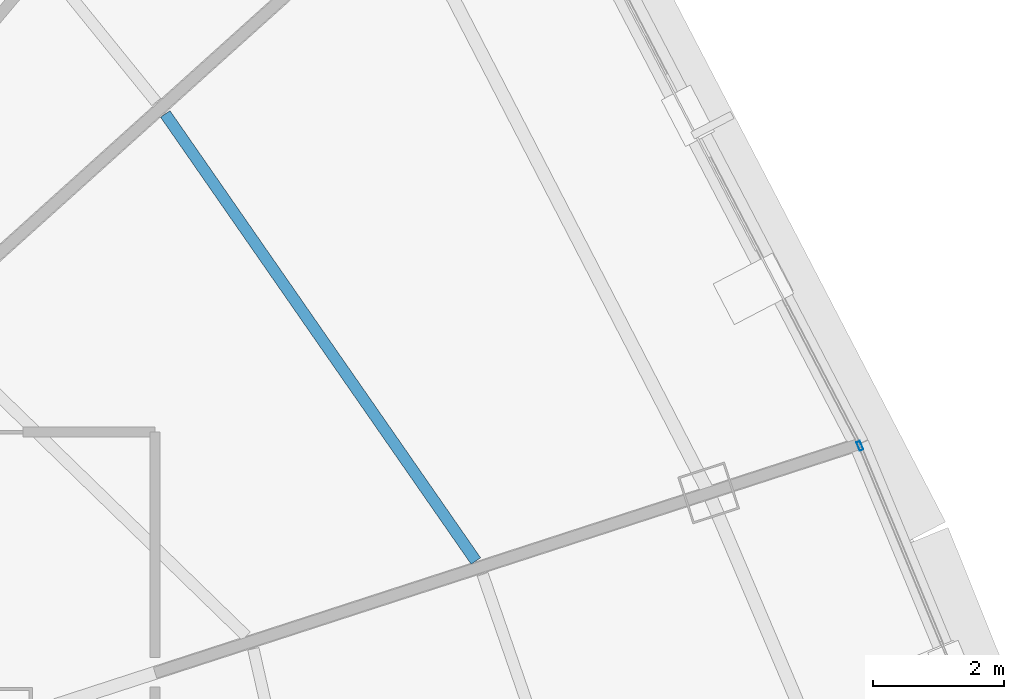
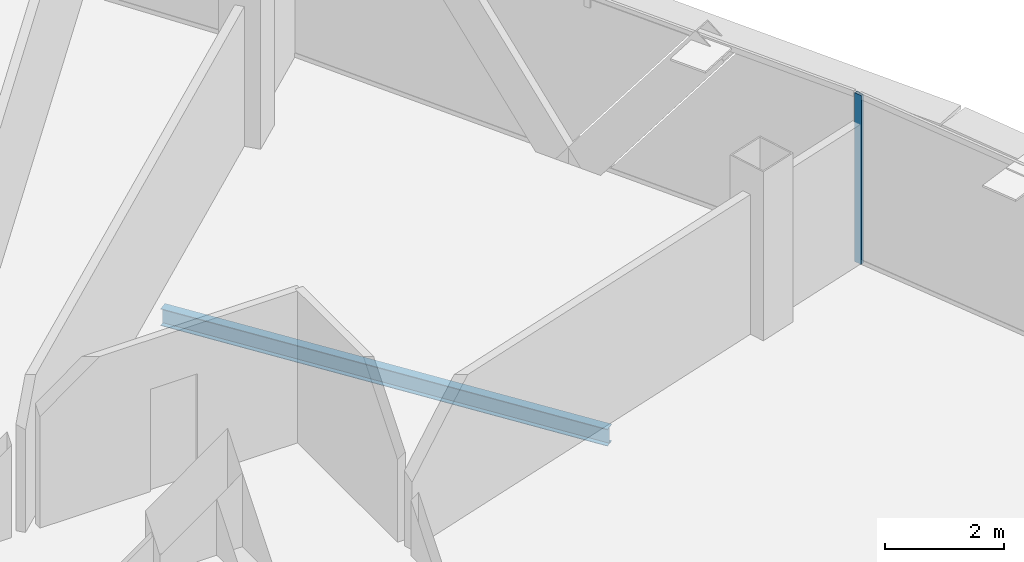
# One storey, part 18 of 39: 1 beam, 1 member, 1 element without a shape of its own.
"""IFC4 building model written with IfcOpenShell, lengths in metres."""

from ifc_helpers import new_model, si_unit, direction, frame, origin, origin_2d, place, context, subcontext, project, spatial, hollow_rectangle, i_section, extrude, source, transform, mapped, material, layer, layer_set, material_profile, profile_set, type_object, element, aggregate, save


model = new_model("IFC4")

# Units and contexts
model_context = context("Model", 3, precision=1e-05, world=origin(), true_north=direction((0.0, 1.0)))
body_context = subcontext(model_context, "Body", "Model", "MODEL_VIEW")
ifc_project = project(units=[si_unit("LENGTHUNIT", "METRE"), si_unit("AREAUNIT", "SQUARE_METRE"), si_unit("VOLUMEUNIT", "CUBIC_METRE"), si_unit("PLANEANGLEUNIT", "RADIAN"), si_unit("MASSUNIT", "GRAM", prefix="KILO"), si_unit("THERMODYNAMICTEMPERATUREUNIT", "KELVIN"), si_unit("POWERUNIT", "WATT")], contexts=[model_context])

# Site, building, storey
site_placement = place(None, origin())
site = spatial("IfcSite", under=ifc_project, at=site_placement, CompositionType="ELEMENT")
building_placement = place(site_placement, origin())
building = spatial("IfcBuilding", under=site, at=building_placement, Name="Yunzhuo Pagoda Commons", CompositionType="ELEMENT")
storey_placement = place(building_placement, frame((0.0, 0.0, 296.2099609375)))
storey = spatial("IfcBuildingStorey", under=building, at=storey_placement, Name="L74", CompositionType="ELEMENT", Elevation=296.2099609375)

# Beam
ifc_material_1 = material(Name="Structural steel Q355B", Category="steel")
ifc_material_profile_1 = material_profile(ifc_material_1, i_section(OverallWidth=0.175048828125, OverallDepth=0.35009765625, WebThickness=0.007080078125, FlangeThickness=0.010986328125, at=origin_2d()), Name="Structural steel Q355B")
ifc_profile_set_1 = profile_set([ifc_material_profile_1], Name="Structural steel Q355B")
beam_type = type_object("IfcBeamType", Name="B-JS2 Joist HN 350x175x7x11", PredefinedType="JOIST", material=ifc_profile_set_1)
shared_shape_1 = source(origin(), body_context, "Body", "SweptSolid", [
    extrude(i_section(OverallWidth=0.175048828125, OverallDepth=0.35009765625, WebThickness=0.007080078125, FlangeThickness=0.010986328125, at=origin_2d()), origin(), (0.0, 0.0, 1.0), 8.31103515625),
])
beam_placement = place(storey_placement, frame((67.748046875, 40.232421875, -0.43505859375), z_axis=(-0.570615989364, 0.821217019236, 0.0), x_axis=(-0.821217019236, -0.570615989364, 0.0)))
element("IfcBeam", 1, at=beam_placement, inside=storey, type_object=beam_type, Name="L74 composite ring joist 2.6", PredefinedType="JOIST", context=body_context, shape_type="MappedRepresentation", body=[
    mapped(shared_shape_1, transform((0.0, 0.0, 0.0), scale=1.0)),
])

# Curtain wall, member
ifc_material_2 = material(Name="Anodized aluminium 6063-T6", Category="aluminium")
ifc_layer = layer(ifc_material_2, 0.139892578125)
ifc_layer_set = layer_set([ifc_layer], Name="Anodized aluminium 6063-T6")
curtain_wall_type = type_object("IfcCurtainWallType", Name="CW-HI High-Zone Ribbon Curtain Wall", PredefinedType="NOTDEFINED", material=ifc_layer_set)
curtain_wall_placement = place(storey_placement, origin())
curtain_wall = element("IfcCurtainWall", 2, at=curtain_wall_placement, inside=storey, type_object=curtain_wall_type, Name="L74 curtain wall CW-L74-F2B2", PredefinedType="NOTDEFINED")
ifc_material_profile_2 = material_profile(ifc_material_2, hollow_rectangle(XDim=0.06005859375, YDim=0.139892578125, WallThickness=0.00341796875, at=origin_2d()), Name="Anodized aluminium 6063-T6")
ifc_profile_set_2 = profile_set([ifc_material_profile_2], Name="Anodized aluminium 6063-T6")
member_type = type_object("IfcMemberType", Name="CW-HI-M Mullion RHS 140x60x3.5", PredefinedType="MULLION", material=ifc_profile_set_2)
shared_shape_2 = source(origin(), body_context, "Body", "SweptSolid", [
    extrude(hollow_rectangle(XDim=0.06005859375, YDim=0.139892578125, WallThickness=0.00341796875, at=origin_2d()), origin(), (0.0, 0.0, 1.0), 3.469970703125),
])
member_placement = place(storey_placement, frame((73.610595703125, 41.989990234375, 0.0), z_axis=(0.0, 0.0, 1.0), x_axis=(-0.923899046183, -0.382636318796, 0.0)))
member = element("IfcMember", 3, at=member_placement, type_object=member_type, Name="CW mullion 2", PredefinedType="MULLION", context=body_context, shape_type="MappedRepresentation", body=[
    mapped(shared_shape_2, transform((0.0, 0.0, 0.0), scale=1.0)),
])
aggregate(curtain_wall, [member])

save(model, "model.ifc")
